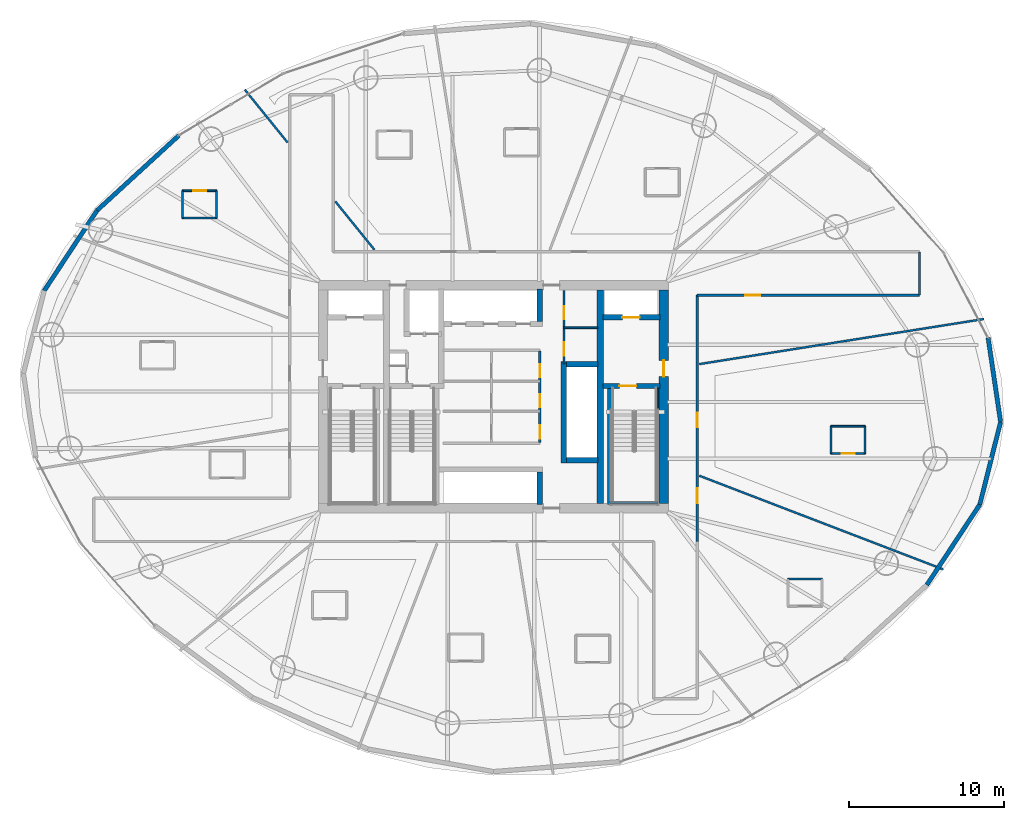
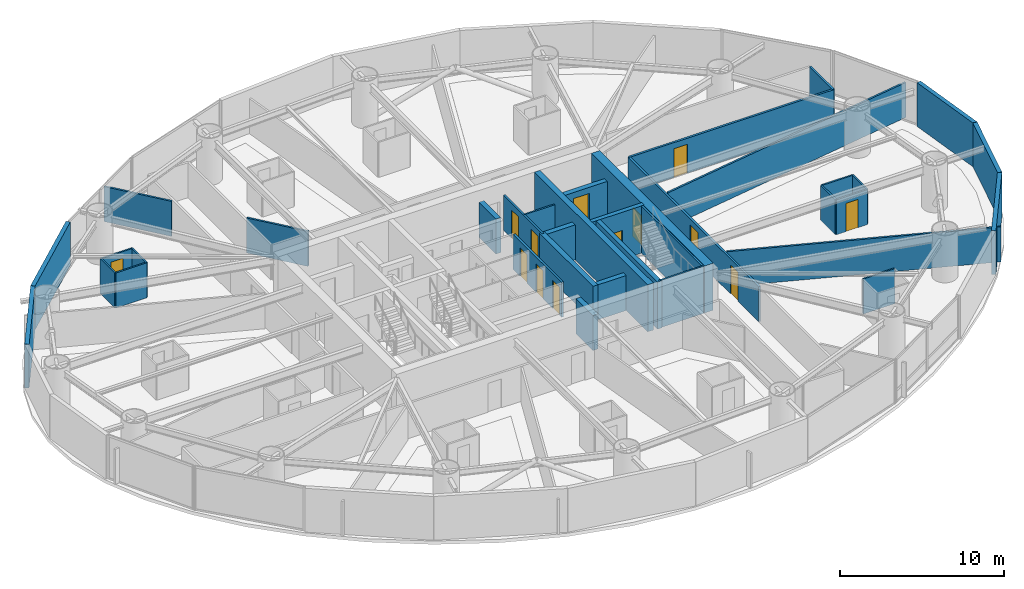
# One storey, part 20 of 25: 36 walls, 13 doors, 13 openings.
"""IFC4 building model written with IfcOpenShell, lengths in metres."""

from ifc_helpers import new_model, si_unit, direction, frame, frame_2d, origin, place, context, subcontext, project, spatial, rectangle, extrude, material, layer, layer_set, type_object, element, fill, save


model = new_model("IFC4")

# Units and contexts
model_context = context("Model", 3, precision=1e-05, world=origin(), true_north=direction((0.0, 1.0)))
body_context = subcontext(model_context, "Body", "Model", "MODEL_VIEW")
ifc_project = project(units=[si_unit("LENGTHUNIT", "METRE"), si_unit("AREAUNIT", "SQUARE_METRE"), si_unit("VOLUMEUNIT", "CUBIC_METRE"), si_unit("PLANEANGLEUNIT", "RADIAN"), si_unit("MASSUNIT", "GRAM", prefix="KILO")], contexts=[model_context])

# Site, building, storey
site_placement = place(None, origin())
site = spatial("IfcSite", under=ifc_project, at=site_placement, CompositionType="ELEMENT")
building_placement = place(site_placement, origin())
building = spatial("IfcBuilding", under=site, at=building_placement, Name="Bramvorn Convention Spire", CompositionType="ELEMENT")
storey_placement = place(building_placement, frame((0.0, 0.0, 48.39990234375)))
storey = spatial("IfcBuildingStorey", under=building, at=storey_placement, Name="L09", CompositionType="ELEMENT", Elevation=48.39990234375)

# Wall, opening, door
ifc_material_1 = material(Name="Concrete C60/70", Category="concrete")
ifc_layer_1 = layer(ifc_material_1, 0.60009765625)
ifc_layer_set_1 = layer_set([ifc_layer_1], Name="Concrete C60/70 - WL-CORE-600")
wall_type_1 = type_object("IfcWallType", Name="WL-CORE-600", PredefinedType="SHEAR", material=ifc_layer_set_1)
wall_1_placement = place(storey_placement, frame((49.0, 19.10009765625, 0.0), z_axis=(0.0, 0.0, 1.0), x_axis=(0.0, 1.0, 0.0)))
wall_1 = element("IfcWall", 1, at=wall_1_placement, inside=storey, type_object=wall_type_1, Name="L09 East RC core shear wall", PredefinedType="SHEAR", context=body_context, shape_type="SweptSolid", body=[
    extrude(rectangle(XDim=13.7998046875, YDim=0.60009765625, at=frame_2d((6.89990234375, 0.0))), origin(), (0.0, 0.0, 1.0), 3.5),
])
opening_1_placement = place(wall_1_placement, frame((8.199951171875, 0.0, 0.0)))
opening_1 = element("IfcOpeningElement", 2, at=opening_1_placement, cuts=wall_1, Name="Opening DL-105", PredefinedType="OPENING", context=body_context, shape_type="SweptSolid", body=[
    extrude(rectangle(XDim=1.050048828125, YDim=2.14990234375, at=frame_2d((0.52490234375, 1.074951171875))), frame((0.0, 0.31005859375, 0.0), z_axis=(0.0, -1.0, 0.0), x_axis=(1.0, 0.0, 0.0)), (0.0, 0.0, 1.0), 0.6201171875),
])
ifc_material_2 = material(Name="Smoke-Sealed Fire Lobby Timber-Core Door", Category="wood")
door_type_1 = type_object("IfcDoorType", Name="DR-LOBBY-1050", OperationType="NOTDEFINED", PredefinedType="DOOR", material=ifc_material_2)
door_1_placement = place(opening_1_placement, origin())
door_1 = element("IfcDoor", 3, at=door_1_placement, inside=storey, type_object=door_type_1, Name="L09 East Firefighting Lobby corridor door", OperationType="SINGLE_SWING_LEFT", OverallHeight=2.14990234375, OverallWidth=1.050048828125, PredefinedType="DOOR", context=body_context, shape_type="SweptSolid", body=[
    extrude(rectangle(XDim=1.050048828125, YDim=2.14990234375, at=frame_2d((0.52490234375, 1.074951171875))), frame((0.0, 0.02490234375, 0.0), z_axis=(0.0, -1.0, 0.0), x_axis=(1.0, 0.0, 0.0)), (0.0, 0.0, 1.0), 0.050048828125),
])
fill(opening_1, door_1)

ifc_material_3 = material(Name="Concrete C50/60", Category="concrete")
ifc_layer_2 = layer(ifc_material_3, 0.35009765625)
ifc_layer_set_2 = layer_set([ifc_layer_2], Name="Concrete C50/60 - WL-CORE-INT-350")
wall_type_2 = type_object("IfcWallType", Name="WL-CORE-INT-350", PredefinedType="SHEAR", material=ifc_layer_set_2)
wall_2_placement = place(storey_placement, frame((45.080078125, 31.1201171875, 0.0), z_axis=(0.0, 0.0, 1.0), x_axis=(1.0, 0.0, 0.0)))
wall_2 = element("IfcWall", 4, at=wall_2_placement, inside=storey, type_object=wall_type_2, Name="L09 FE2 shaft front wall", PredefinedType="SHEAR", context=body_context, shape_type="SweptSolid", body=[
    extrude(rectangle(XDim=3.669921875, YDim=0.35009765625, at=frame_2d((1.8349609375, 0.0))), origin(), (0.0, 0.0, 1.0), 2.60009765625),
])
opening_2_placement = place(wall_2_placement, frame((1.25, 0.0, 0.0)))
opening_2 = element("IfcOpeningElement", 5, at=opening_2_placement, cuts=wall_2, Name="Opening LD-110", PredefinedType="OPENING", context=body_context, shape_type="SweptSolid", body=[
    extrude(rectangle(XDim=1.10009765625, YDim=2.14990234375, at=frame_2d((0.550048828125, 1.074951171875))), frame((0.0, 0.18505859375, 0.0), z_axis=(0.0, -1.0, 0.0), x_axis=(1.0, 0.0, 0.0)), (0.0, 0.0, 1.0), 0.3701171875),
])
ifc_material_4 = material(Name="Firefighting & Service Lift Sliding Landing Door", Category="steel")
door_type_2 = type_object("IfcDoorType", Name="DR-LIFT-LD-1100", OperationType="NOTDEFINED", PredefinedType="DOOR", material=ifc_material_4)
door_2_placement = place(opening_2_placement, origin())
door_2 = element("IfcDoor", 6, at=door_2_placement, inside=storey, type_object=door_type_2, Name="L09 Lift FE2 Sliding Landing Door", OperationType="SLIDING_TO_LEFT", OverallHeight=2.14990234375, OverallWidth=1.10009765625, PredefinedType="DOOR", context=body_context, shape_type="SweptSolid", body=[
    extrude(rectangle(XDim=1.10009765625, YDim=2.14990234375, at=frame_2d((0.550048828125, 1.074951171875))), frame((0.0, 0.02490234375, 0.0), z_axis=(0.0, -1.0, 0.0), x_axis=(1.0, 0.0, 0.0)), (0.0, 0.0, 1.0), 0.050048828125),
])
fill(opening_2, door_2)

# Walls
wall_3_placement = place(storey_placement, frame((42.550048828125, 21.72998046875, 0.0), z_axis=(0.0, 0.0, 1.0), x_axis=(0.0, 1.0, 0.0)))
element("IfcWall", 7, at=wall_3_placement, inside=storey, type_object=wall_type_2, Name="L09 High-rise lift bank west wall", PredefinedType="SHEAR", context=body_context, shape_type="SweptSolid", body=[
    extrude(rectangle(XDim=6.5400390625, YDim=0.35009765625, at=frame_2d((3.27001953125, 0.0))), origin(), (0.0, 0.0, 1.0), 2.60009765625),
])
for number, where, z_axis, x_axis, name in (
    (8, (42.719970703125, 21.89990234375, 0.0), (0.0, 0.0, 1.0), (1.0, 0.0, 0.0), "L09 High-rise lift bank south wall"),
    (9, (42.719970703125, 28.10009765625, 0.0), (0.0, 0.0, 1.0), (1.0, 0.0, 0.0), "L09 High-rise lift bank north wall"),
):
    element("IfcWall", number, at=place(storey_placement, frame(where, z_axis=z_axis, x_axis=x_axis)), inside=storey, type_object=wall_type_2, Name=name, PredefinedType="SHEAR", context=body_context, shape_type="SweptSolid", body=[
        extrude(rectangle(XDim=2.030029296875, YDim=0.35009765625, at=frame_2d((1.01513671875, 0.0))), origin(), (0.0, 0.0, 1.0), 2.60009765625),
    ])
for number, where, z_axis, x_axis, name in (
    (10, (41.0, 30.8701171875, 0.0), (0.0, 0.0, 1.0), (0.0, 1.0, 0.0), "L09 Low-rise bank east cheek wall"),
    (11, (41.0, 19.050048828125, 0.0), (0.0, 0.0, 1.0), (0.0, 1.0, 0.0), "L09 Mid-rise bank east cheek wall"),
):
    element("IfcWall", number, at=place(storey_placement, frame(where, z_axis=z_axis, x_axis=x_axis)), inside=storey, type_object=wall_type_2, Name=name, PredefinedType="SHEAR", context=body_context, shape_type="SweptSolid", body=[
        extrude(rectangle(XDim=2.079833984375, YDim=0.35009765625, at=frame_2d((1.0400390625, 0.0))), origin(), (0.0, 0.0, 1.0), 2.60009765625),
    ])
ifc_layer_3 = layer(ifc_material_1, 0.39990234375)
ifc_layer_set_3 = layer_set([ifc_layer_3], Name="Concrete C60/70 - WL-CORE-INT-400")
wall_type_3 = type_object("IfcWallType", Name="WL-CORE-INT-400", PredefinedType="SHEAR", material=ifc_layer_set_3)
wall_4_placement = place(storey_placement, frame((44.89990234375, 19.10009765625, 0.0), z_axis=(0.0, 0.0, 1.0), x_axis=(0.0, 1.0, 0.0)))
element("IfcWall", 12, at=wall_4_placement, inside=storey, type_object=wall_type_3, Name="L09 East internal core shear web", PredefinedType="SHEAR", context=body_context, shape_type="SweptSolid", body=[
    extrude(rectangle(XDim=13.7998046875, YDim=0.39990234375, at=frame_2d((6.89990234375, 0.0))), origin(), (0.0, 0.0, 1.0), 3.5),
])
ifc_material_5 = material(Name="Precast Concrete C40/50 with Bronze Terracotta Rainscreen", Category="masonry")
ifc_layer_4 = layer(ifc_material_5, 0.300048828125)
ifc_layer_set_4 = layer_set([ifc_layer_4], Name="Precast Concrete C40/50 with Bronze Terracotta Rainscreen - WL-EXT-BRONZE-300")
wall_type_4 = type_object("IfcWallType", Name="WL-EXT-BRONZE-300", PredefinedType="SOLIDWALL", material=ifc_layer_set_4)
wall_5_placement = place(storey_placement, frame((69.932861328125, 29.80810546875, 0.0), z_axis=(0.0, 0.0, 1.0), x_axis=(0.146728919415, -0.989176740632, 0.0)))
element("IfcWall", 13, at=wall_5_placement, inside=storey, type_object=wall_type_4, Name="L09 expressed bronze Gothic lancet pier wall 01", PredefinedType="SOLIDWALL", context=body_context, shape_type="SweptSolid", body=[
    extrude(rectangle(XDim=5.49755859375, YDim=0.280029296875, at=frame_2d((2.748779296875, 0.0))), origin(), (0.0, 0.0, 1.0), 3.25),
])
wall_6_placement = place(storey_placement, frame((12.41748046875, 38.029296875, 0.0), z_axis=(0.0, 0.0, 1.0), x_axis=(0.73711725093, 0.675764869153, 0.0)))
element("IfcWall", 14, at=wall_6_placement, inside=storey, type_object=wall_type_4, Name="L09 expressed bronze Gothic lancet pier wall 10", PredefinedType="SOLIDWALL", context=body_context, shape_type="SweptSolid", body=[
    extrude(rectangle(XDim=7.142822265625, YDim=0.280029296875, at=frame_2d((3.5712890625, 0.0))), origin(), (0.0, 0.0, 1.0), 3.25),
])
wall_7_placement = place(storey_placement, frame((9.00048828125, 32.84130859375, 0.0), z_axis=(0.0, 0.0, 1.0), x_axis=(0.550048067435, 0.835132997499, 0.0)))
element("IfcWall", 15, at=wall_7_placement, inside=storey, type_object=wall_type_4, Name="L09 expressed bronze Gothic lancet pier wall 11", PredefinedType="SOLIDWALL", context=body_context, shape_type="SweptSolid", body=[
    extrude(rectangle(XDim=6.212158203125, YDim=0.280029296875, at=frame_2d((3.10595703125, 0.0))), origin(), (0.0, 0.0, 1.0), 3.25),
])
wall_8_placement = place(storey_placement, frame((69.396728515625, 19.039306640625, 0.0), z_axis=(0.0, 0.0, 1.0), x_axis=(-0.550075476481, -0.835114944289, 0.0)))
element("IfcWall", 16, at=wall_8_placement, inside=storey, type_object=wall_type_4, Name="L09 expressed bronze Gothic lancet pier wall 23", PredefinedType="SOLIDWALL", context=body_context, shape_type="SweptSolid", body=[
    extrude(rectangle(XDim=6.21240234375, YDim=0.280029296875, at=frame_2d((3.106201171875, 0.0))), origin(), (0.0, 0.0, 1.0), 3.25),
])
wall_9_placement = place(storey_placement, frame((70.739501953125, 24.3701171875, 0.0), z_axis=(0.0, 0.0, 1.0), x_axis=(-0.244259426183, -0.969709921946, 0.0)))
element("IfcWall", 17, at=wall_9_placement, inside=storey, type_object=wall_type_4, Name="L09 expressed bronze Gothic lancet pier wall 24", PredefinedType="SOLIDWALL", context=body_context, shape_type="SweptSolid", body=[
    extrude(rectangle(XDim=5.497314453125, YDim=0.280029296875, at=frame_2d((2.74853515625, 0.0))), origin(), (0.0, 0.0, 1.0), 3.25),
])
ifc_material_6 = material(Name="Lightweight En-Suite & Wet-Wall Partition", Category="gypsum")
ifc_layer_5 = layer(ifc_material_6, 0.110107421875)
ifc_layer_set_5 = layer_set([ifc_layer_5], Name="Lightweight En-Suite & Wet-Wall Partition - WL-PART-110")
wall_type_5 = type_object("IfcWallType", Name="WL-PART-110", PredefinedType="PARTITIONING", material=ifc_layer_set_5)
wall_10_placement = place(storey_placement, frame((42.550048828125, 30.449951171875, 0.0), z_axis=(0.0, 0.0, 1.0), x_axis=(1.0, 0.0, 0.0)))
element("IfcWall", 18, at=wall_10_placement, inside=storey, type_object=wall_type_5, Name="L09 KB NE divider", PredefinedType="PARTITIONING", context=body_context, shape_type="SweptSolid", body=[
    extrude(rectangle(XDim=2.199951171875, YDim=0.110107421875, at=frame_2d((1.10009765625, 0.0))), origin(), (0.0, 0.0, 1.0), 2.60009765625),
])
wall_11_placement = place(storey_placement, frame((17.92578125, 37.531982421875, 0.0), z_axis=(0.0, 0.0, 1.0), x_axis=(1.0, 0.0, 0.0)))
element("IfcWall", 19, at=wall_11_placement, inside=storey, type_object=wall_type_5, Name="Hotel Suite 0905 en-suite south wall", PredefinedType="PARTITIONING", context=body_context, shape_type="SweptSolid", body=[
    extrude(rectangle(XDim=2.2001953125, YDim=0.110107421875, at=frame_2d((1.10009765625, 0.0))), origin(), (0.0, 0.0, 1.0), 2.60009765625),
])

# Wall, opening, door
wall_12_placement = place(storey_placement, frame((17.92578125, 39.2919921875, 0.0), z_axis=(0.0, 0.0, 1.0), x_axis=(1.0, 0.0, 0.0)))
wall_12 = element("IfcWall", 20, at=wall_12_placement, inside=storey, type_object=wall_type_5, Name="Hotel Suite 0905 en-suite north wall", PredefinedType="PARTITIONING", context=body_context, shape_type="SweptSolid", body=[
    extrude(rectangle(XDim=2.2001953125, YDim=0.110107421875, at=frame_2d((1.10009765625, 0.0))), origin(), (0.0, 0.0, 1.0), 2.60009765625),
])
opening_3_placement = place(wall_12_placement, frame((0.679931640625, 0.0, 0.0)))
opening_3 = element("IfcOpeningElement", 21, at=opening_3_placement, cuts=wall_12, Name="Opening DI-085", PredefinedType="OPENING", context=body_context, shape_type="SweptSolid", body=[
    extrude(rectangle(XDim=0.85009765625, YDim=2.10009765625, at=frame_2d((0.425048828125, 1.050048828125))), frame((0.0, 0.06494140625, 0.0), z_axis=(0.0, -1.0, 0.0), x_axis=(1.0, 0.0, 0.0)), (0.0, 0.0, 1.0), 0.130126953125),
])
ifc_material_7 = material(Name="En-Suite & Restroom Privacy Door", Category="wood")
door_type_3 = type_object("IfcDoorType", Name="DR-INT-850", OperationType="NOTDEFINED", PredefinedType="DOOR", material=ifc_material_7)
door_3_placement = place(opening_3_placement, origin())
door_3 = element("IfcDoor", 22, at=door_3_placement, inside=storey, type_object=door_type_3, Name="Hotel Suite 0905 En-Suite Bathroom door", OperationType="SINGLE_SWING_LEFT", OverallHeight=2.10009765625, OverallWidth=0.85009765625, PredefinedType="DOOR", context=body_context, shape_type="SweptSolid", body=[
    extrude(rectangle(XDim=0.85009765625, YDim=2.10009765625, at=frame_2d((0.425048828125, 1.050048828125))), frame((0.0, 0.02490234375, 0.0), z_axis=(0.0, -1.0, 0.0), x_axis=(1.0, 0.0, 0.0)), (0.0, 0.0, 1.0), 0.050048828125),
])
fill(opening_3, door_3)

# Walls
for number, where, z_axis, x_axis, name in (
    (23, (17.92578125, 37.531982421875, 0.0), (0.0, 0.0, 1.0), (0.0, 1.0, 0.0), "Hotel Suite 0905 en-suite west wall"),
    (24, (20.1259765625, 37.531982421875, 0.0), (0.0, 0.0, 1.0), (0.0, 1.0, 0.0), "Hotel Suite 0905 en-suite east wall"),
):
    element("IfcWall", number, at=place(storey_placement, frame(where, z_axis=z_axis, x_axis=x_axis)), inside=storey, type_object=wall_type_5, Name=name, PredefinedType="PARTITIONING", context=body_context, shape_type="SweptSolid", body=[
        extrude(rectangle(XDim=1.760009765625, YDim=0.110107421875, at=frame_2d((0.8798828125, 0.0))), origin(), (0.0, 0.0, 1.0), 2.60009765625),
    ])
wall_13_placement = place(storey_placement, frame((57.015380859375, 14.231689453125, 0.0), z_axis=(0.0, 0.0, 1.0), x_axis=(1.0, 0.0, 0.0)))
element("IfcWall", 25, at=wall_13_placement, inside=storey, type_object=wall_type_5, Name="Hotel Suite 0911 en-suite north wall", PredefinedType="PARTITIONING", context=body_context, shape_type="SweptSolid", body=[
    extrude(rectangle(XDim=2.2001953125, YDim=0.110107421875, at=frame_2d((1.10009765625, 0.0))), origin(), (0.0, 0.0, 1.0), 2.60009765625),
])

# Wall, opening, door
wall_14_placement = place(storey_placement, frame((59.790283203125, 22.331298828125, 0.0), z_axis=(0.0, 0.0, 1.0), x_axis=(1.0, 0.0, 0.0)))
wall_14 = element("IfcWall", 26, at=wall_14_placement, inside=storey, type_object=wall_type_5, Name="Hotel Suite 0912 en-suite south wall", PredefinedType="PARTITIONING", context=body_context, shape_type="SweptSolid", body=[
    extrude(rectangle(XDim=2.2001953125, YDim=0.110107421875, at=frame_2d((1.10009765625, 0.0))), origin(), (0.0, 0.0, 1.0), 2.60009765625),
])
opening_4_placement = place(wall_14_placement, frame((0.679931640625, 0.0, 0.0)))
opening_4 = element("IfcOpeningElement", 27, at=opening_4_placement, cuts=wall_14, Name="Opening DI-085", PredefinedType="OPENING", context=body_context, shape_type="SweptSolid", body=[
    extrude(rectangle(XDim=0.85009765625, YDim=2.10009765625, at=frame_2d((0.425048828125, 1.050048828125))), frame((0.0, 0.06494140625, 0.0), z_axis=(0.0, -1.0, 0.0), x_axis=(1.0, 0.0, 0.0)), (0.0, 0.0, 1.0), 0.130126953125),
])
door_4_placement = place(opening_4_placement, origin())
door_4 = element("IfcDoor", 28, at=door_4_placement, inside=storey, type_object=door_type_3, Name="Hotel Suite 0912 En-Suite Bathroom door", OperationType="SINGLE_SWING_LEFT", OverallHeight=2.10009765625, OverallWidth=0.85009765625, PredefinedType="DOOR", context=body_context, shape_type="SweptSolid", body=[
    extrude(rectangle(XDim=0.85009765625, YDim=2.10009765625, at=frame_2d((0.425048828125, 1.050048828125))), frame((0.0, 0.02490234375, 0.0), z_axis=(0.0, -1.0, 0.0), x_axis=(1.0, 0.0, 0.0)), (0.0, 0.0, 1.0), 0.050048828125),
])
fill(opening_4, door_4)

# Walls
wall_15_placement = place(storey_placement, frame((59.790283203125, 24.09130859375, 0.0), z_axis=(0.0, 0.0, 1.0), x_axis=(1.0, 0.0, 0.0)))
element("IfcWall", 29, at=wall_15_placement, inside=storey, type_object=wall_type_5, Name="Hotel Suite 0912 en-suite north wall", PredefinedType="PARTITIONING", context=body_context, shape_type="SweptSolid", body=[
    extrude(rectangle(XDim=2.2001953125, YDim=0.110107421875, at=frame_2d((1.10009765625, 0.0))), origin(), (0.0, 0.0, 1.0), 2.60009765625),
])
for number, where, z_axis, x_axis, name in (
    (30, (59.790283203125, 22.331298828125, 0.0), (0.0, 0.0, 1.0), (0.0, 1.0, 0.0), "Hotel Suite 0912 en-suite west wall"),
    (31, (61.990478515625, 22.331298828125, 0.0), (0.0, 0.0, 1.0), (0.0, 1.0, 0.0), "Hotel Suite 0912 en-suite east wall"),
):
    element("IfcWall", number, at=place(storey_placement, frame(where, z_axis=z_axis, x_axis=x_axis)), inside=storey, type_object=wall_type_5, Name=name, PredefinedType="PARTITIONING", context=body_context, shape_type="SweptSolid", body=[
        extrude(rectangle(XDim=1.760009765625, YDim=0.110107421875, at=frame_2d((0.8798828125, 0.0))), origin(), (0.0, 0.0, 1.0), 2.60009765625),
    ])

# Wall, openings, doors
ifc_material_8 = material(Name="Metal-Stud Demountable Office Partition", Category="gypsum")
ifc_layer_6 = layer(ifc_material_8, 0.1298828125)
ifc_layer_set_6 = layer_set([ifc_layer_6], Name="Metal-Stud Demountable Office Partition - WL-PART-130")
wall_type_6 = type_object("IfcWallType", Name="WL-PART-130", PredefinedType="PARTITIONING", material=ifc_layer_set_6)
wall_16_placement = place(storey_placement, frame((42.550048828125, 28.10009765625, 0.0), z_axis=(0.0, 0.0, 1.0), x_axis=(0.0, 1.0, 0.0)))
wall_16 = element("IfcWall", 32, at=wall_16_placement, inside=storey, type_object=wall_type_6, Name="L09 KB NE split wall", PredefinedType="PARTITIONING", context=body_context, shape_type="SweptSolid", body=[
    extrude(rectangle(XDim=4.75, YDim=0.1298828125, at=frame_2d((2.375, 0.0))), origin(), (0.0, 0.0, 1.0), 2.60009765625),
])
opening_5_placement = place(wall_16_placement, frame((0.550048828125, 0.0, 0.0)))
opening_5 = element("IfcOpeningElement", 33, at=opening_5_placement, cuts=wall_16, Name="Opening DC-085", PredefinedType="OPENING", context=body_context, shape_type="SweptSolid", body=[
    extrude(rectangle(XDim=0.85009765625, YDim=2.10009765625, at=frame_2d((0.425048828125, 1.050048828125))), frame((0.0, 0.074951171875, 0.0), z_axis=(0.0, -1.0, 0.0), x_axis=(1.0, 0.0, 0.0)), (0.0, 0.0, 1.0), 0.14990234375),
])
opening_6_placement = place(wall_16_placement, frame((2.89990234375, 0.0, 0.0)))
opening_6 = element("IfcOpeningElement", 34, at=opening_6_placement, cuts=wall_16, Name="Opening DC-085", PredefinedType="OPENING", context=body_context, shape_type="SweptSolid", body=[
    extrude(rectangle(XDim=0.85009765625, YDim=2.10009765625, at=frame_2d((0.425048828125, 1.050048828125))), frame((0.0, 0.074951171875, 0.0), z_axis=(0.0, -1.0, 0.0), x_axis=(1.0, 0.0, 0.0)), (0.0, 0.0, 1.0), 0.14990234375),
])
ifc_material_9 = material(Name="Fire-Rated Core Washroom & IDF Door", Category="wood")
door_type_4 = type_object("IfcDoorType", Name="DR-CORE-850", OperationType="NOTDEFINED", PredefinedType="DOOR", material=ifc_material_9)
door_5_placement = place(opening_5_placement, origin())
door_5 = element("IfcDoor", 35, at=door_5_placement, inside=storey, type_object=door_type_4, Name="L09 Core Staff WC door", OperationType="SINGLE_SWING_LEFT", OverallHeight=2.10009765625, OverallWidth=0.85009765625, PredefinedType="DOOR", context=body_context, shape_type="SweptSolid", body=[
    extrude(rectangle(XDim=0.85009765625, YDim=2.10009765625, at=frame_2d((0.425048828125, 1.050048828125))), frame((0.0, 0.02490234375, 0.0), z_axis=(0.0, -1.0, 0.0), x_axis=(1.0, 0.0, 0.0)), (0.0, 0.0, 1.0), 0.050048828125),
])
fill(opening_5, door_5)
door_6_placement = place(opening_6_placement, origin())
door_6 = element("IfcDoor", 36, at=door_6_placement, inside=storey, type_object=door_type_4, Name="L09 Core Data Closet door", OperationType="SINGLE_SWING_LEFT", OverallHeight=2.10009765625, OverallWidth=0.85009765625, PredefinedType="DOOR", context=body_context, shape_type="SweptSolid", body=[
    extrude(rectangle(XDim=0.85009765625, YDim=2.10009765625, at=frame_2d((0.425048828125, 1.050048828125))), frame((0.0, 0.02490234375, 0.0), z_axis=(0.0, -1.0, 0.0), x_axis=(1.0, 0.0, 0.0)), (0.0, 0.0, 1.0), 0.050048828125),
])
fill(opening_6, door_6)

# Walls
wall_17_placement = place(storey_placement, frame((51.2900390625, 28.10498046875, 0.0), z_axis=(0.0, 0.0, 1.0), x_axis=(0.987689587694, 0.156426590965, 0.0)))
element("IfcWall", 37, at=wall_17_placement, inside=storey, type_object=wall_type_6, Name="L09 Guestroom demising wall 1", PredefinedType="PARTITIONING", context=body_context, shape_type="SweptSolid", body=[
    extrude(rectangle(XDim=18.614990234375, YDim=0.1298828125, at=frame_2d((9.3076171875, 0.0))), origin(), (0.0, 0.0, 1.0), 2.60009765625),
])
wall_18_placement = place(storey_placement, frame((30.315185546875, 35.489990234375, 0.0), z_axis=(0.0, 0.0, 1.0), x_axis=(-0.629306741086, 0.777157014782, 0.0)))
element("IfcWall", 38, at=wall_18_placement, inside=storey, type_object=wall_type_6, Name="L09 Guestroom demising wall 5", PredefinedType="PARTITIONING", context=body_context, shape_type="SweptSolid", body=[
    extrude(rectangle(XDim=4.0126953125, YDim=0.1298828125, at=frame_2d((2.00634765625, 0.0))), origin(), (0.0, 0.0, 1.0), 2.60009765625),
])
wall_19_placement = place(storey_placement, frame((24.7099609375, 42.411865234375, 0.0), z_axis=(0.0, 0.0, 1.0), x_axis=(-0.629345031815, 0.777126007112, 0.0)))
element("IfcWall", 39, at=wall_19_placement, inside=storey, type_object=wall_type_6, Name="L09 Guestroom demising wall 5", PredefinedType="PARTITIONING", context=body_context, shape_type="SweptSolid", body=[
    extrude(rectangle(XDim=4.401123046875, YDim=0.1298828125, at=frame_2d((2.20068359375, 0.0))), origin(), (0.0, 0.0, 1.0), 2.60009765625),
])
wall_20_placement = place(storey_placement, frame((51.2900390625, 20.8984375, 0.0), z_axis=(0.0, 0.0, 1.0), x_axis=(0.933579150915, -0.358371272533, 0.0)))
element("IfcWall", 40, at=wall_20_placement, inside=storey, type_object=wall_type_6, Name="L09 Guestroom demising wall 12", PredefinedType="PARTITIONING", context=body_context, shape_type="SweptSolid", body=[
    extrude(rectangle(XDim=16.878662109375, YDim=0.1298828125, at=frame_2d((8.439453125, 0.0))), origin(), (0.0, 0.0, 1.0), 2.60009765625),
])

# Wall, openings, doors
ifc_material_10 = material(Name="Acoustic Metal-Stud Tenant/Corridor Partition", Category="gypsum")
ifc_layer_7 = layer(ifc_material_10, 0.14990234375)
ifc_layer_set_7 = layer_set([ifc_layer_7], Name="Acoustic Metal-Stud Tenant/Corridor Partition - WL-PART-150")
wall_type_7 = type_object("IfcWallType", Name="WL-PART-150", PredefinedType="PARTITIONING", material=ifc_layer_set_7)
wall_21_placement = place(storey_placement, frame((41.0, 23.050048828125, 0.0), z_axis=(0.0, 0.0, 1.0), x_axis=(0.0, 1.0, 0.0)))
wall_21 = element("IfcWall", 41, at=wall_21_placement, inside=storey, type_object=wall_type_7, Name="L09 KB east core wall", PredefinedType="PARTITIONING", context=body_context, shape_type="SweptSolid", body=[
    extrude(rectangle(XDim=5.89990234375, YDim=0.14990234375, at=frame_2d((2.949951171875, 0.0))), origin(), (0.0, 0.0, 1.0), 2.60009765625),
])
opening_7_placement = place(wall_21_placement, frame((0.25, 0.0, 0.0)))
opening_7 = element("IfcOpeningElement", 42, at=opening_7_placement, cuts=wall_21, Name="Opening DC-085", PredefinedType="OPENING", context=body_context, shape_type="SweptSolid", body=[
    extrude(rectangle(XDim=0.85009765625, YDim=2.10009765625, at=frame_2d((0.425048828125, 1.050048828125))), frame((0.0, 0.0849609375, 0.0), z_axis=(0.0, -1.0, 0.0), x_axis=(1.0, 0.0, 0.0)), (0.0, 0.0, 1.0), 0.169921875),
])
opening_8_placement = place(wall_21_placement, frame((2.256103515625, 0.0, 0.0)))
opening_8 = element("IfcOpeningElement", 43, at=opening_8_placement, cuts=wall_21, Name="Opening DC-085", PredefinedType="OPENING", context=body_context, shape_type="SweptSolid", body=[
    extrude(rectangle(XDim=0.85009765625, YDim=2.10009765625, at=frame_2d((0.425048828125, 1.050048828125))), frame((0.0, 0.0849609375, 0.0), z_axis=(0.0, -1.0, 0.0), x_axis=(1.0, 0.0, 0.0)), (0.0, 0.0, 1.0), 0.169921875),
])
opening_9_placement = place(wall_21_placement, frame((4.202880859375, 0.0, 0.0)))
opening_9 = element("IfcOpeningElement", 44, at=opening_9_placement, cuts=wall_21, Name="Opening DC-085", PredefinedType="OPENING", context=body_context, shape_type="SweptSolid", body=[
    extrude(rectangle(XDim=0.85009765625, YDim=2.10009765625, at=frame_2d((0.425048828125, 1.050048828125))), frame((0.0, 0.0849609375, 0.0), z_axis=(0.0, -1.0, 0.0), x_axis=(1.0, 0.0, 0.0)), (0.0, 0.0, 1.0), 0.169921875),
])
door_7_placement = place(opening_7_placement, origin())
door_7 = element("IfcDoor", 45, at=door_7_placement, inside=storey, type_object=door_type_4, Name="L09 Accessible Core Restroom door", OperationType="SINGLE_SWING_LEFT", OverallHeight=2.10009765625, OverallWidth=0.85009765625, PredefinedType="DOOR", context=body_context, shape_type="SweptSolid", body=[
    extrude(rectangle(XDim=0.85009765625, YDim=2.10009765625, at=frame_2d((0.425048828125, 1.050048828125))), frame((0.0, 0.02490234375, 0.0), z_axis=(0.0, -1.0, 0.0), x_axis=(1.0, 0.0, 0.0)), (0.0, 0.0, 1.0), 0.050048828125),
])
fill(opening_7, door_7)
door_8_placement = place(opening_8_placement, origin())
door_8 = element("IfcDoor", 46, at=door_8_placement, inside=storey, type_object=door_type_4, Name="L09 Floor Housekeeping & Linen Store door", OperationType="SINGLE_SWING_LEFT", OverallHeight=2.10009765625, OverallWidth=0.85009765625, PredefinedType="DOOR", context=body_context, shape_type="SweptSolid", body=[
    extrude(rectangle(XDim=0.85009765625, YDim=2.10009765625, at=frame_2d((0.425048828125, 1.050048828125))), frame((0.0, 0.02490234375, 0.0), z_axis=(0.0, -1.0, 0.0), x_axis=(1.0, 0.0, 0.0)), (0.0, 0.0, 1.0), 0.050048828125),
])
fill(opening_8, door_8)
door_9_placement = place(opening_9_placement, origin())
door_9 = element("IfcDoor", 47, at=door_9_placement, inside=storey, type_object=door_type_4, Name="L09 Gender-Neutral Core WC door", OperationType="SINGLE_SWING_LEFT", OverallHeight=2.10009765625, OverallWidth=0.85009765625, PredefinedType="DOOR", context=body_context, shape_type="SweptSolid", body=[
    extrude(rectangle(XDim=0.85009765625, YDim=2.10009765625, at=frame_2d((0.425048828125, 1.050048828125))), frame((0.0, 0.02490234375, 0.0), z_axis=(0.0, -1.0, 0.0), x_axis=(1.0, 0.0, 0.0)), (0.0, 0.0, 1.0), 0.050048828125),
])
fill(opening_9, door_9)

wall_22_placement = place(storey_placement, frame((51.14990234375, 16.64990234375, 0.0), z_axis=(0.0, 0.0, 1.0), x_axis=(0.0, 1.0, 0.0)))
wall_22 = element("IfcWall", 48, at=wall_22_placement, inside=storey, type_object=wall_type_7, Name="L09 East ring corridor wall", PredefinedType="PARTITIONING", context=body_context, shape_type="SweptSolid", body=[
    extrude(rectangle(XDim=15.900146484375, YDim=0.14990234375, at=frame_2d((7.9501953125, 0.0))), origin(), (0.0, 0.0, 1.0), 2.60009765625),
])
opening_10_placement = place(wall_22_placement, frame((2.484130859375, 0.0, 0.0)))
opening_10 = element("IfcOpeningElement", 49, at=opening_10_placement, cuts=wall_22, Name="Opening DH-095", PredefinedType="OPENING", context=body_context, shape_type="SweptSolid", body=[
    extrude(rectangle(XDim=0.949951171875, YDim=2.14990234375, at=frame_2d((0.47509765625, 1.074951171875))), frame((0.0, 0.0849609375, 0.0), z_axis=(0.0, -1.0, 0.0), x_axis=(1.0, 0.0, 0.0)), (0.0, 0.0, 1.0), 0.169921875),
])
opening_11_placement = place(wall_22_placement, frame((7.37890625, 0.0, 0.0)))
opening_11 = element("IfcOpeningElement", 50, at=opening_11_placement, cuts=wall_22, Name="Opening DH-095", PredefinedType="OPENING", context=body_context, shape_type="SweptSolid", body=[
    extrude(rectangle(XDim=0.949951171875, YDim=2.14990234375, at=frame_2d((0.47509765625, 1.074951171875))), frame((0.0, 0.0849609375, 0.0), z_axis=(0.0, -1.0, 0.0), x_axis=(1.0, 0.0, 0.0)), (0.0, 0.0, 1.0), 0.169921875),
])
ifc_material_11 = material(Name="Solid-Core Acoustic Guestroom Entry Door", Category="wood")
door_type_5 = type_object("IfcDoorType", Name="DR-HOTEL-950", OperationType="NOTDEFINED", PredefinedType="DOOR", material=ifc_material_11)
door_10_placement = place(opening_10_placement, origin())
door_10 = element("IfcDoor", 51, at=door_10_placement, inside=storey, type_object=door_type_5, Name="Hotel Suite 0911 entry door", OperationType="SINGLE_SWING_RIGHT", OverallHeight=2.14990234375, OverallWidth=0.949951171875, PredefinedType="DOOR", context=body_context, shape_type="SweptSolid", body=[
    extrude(rectangle(XDim=0.949951171875, YDim=2.14990234375, at=frame_2d((0.47509765625, 1.074951171875))), frame((0.0, 0.02490234375, 0.0), z_axis=(0.0, -1.0, 0.0), x_axis=(1.0, 0.0, 0.0)), (0.0, 0.0, 1.0), 0.050048828125),
])
fill(opening_10, door_10)
door_11_placement = place(opening_11_placement, origin())
door_11 = element("IfcDoor", 52, at=door_11_placement, inside=storey, type_object=door_type_5, Name="Hotel Suite 0912 entry door", OperationType="SINGLE_SWING_LEFT", OverallHeight=2.14990234375, OverallWidth=0.949951171875, PredefinedType="DOOR", context=body_context, shape_type="SweptSolid", body=[
    extrude(rectangle(XDim=0.949951171875, YDim=2.14990234375, at=frame_2d((0.47509765625, 1.074951171875))), frame((0.0, 0.02490234375, 0.0), z_axis=(0.0, -1.0, 0.0), x_axis=(1.0, 0.0, 0.0)), (0.0, 0.0, 1.0), 0.050048828125),
])
fill(opening_11, door_11)

# Wall, opening, door
wall_23_placement = place(storey_placement, frame((51.14990234375, 32.550048828125, 0.0), z_axis=(0.0, 0.0, 1.0), x_axis=(1.0, 0.0, 0.0)))
wall_23 = element("IfcWall", 53, at=wall_23_placement, inside=storey, type_object=wall_type_7, Name="L09 NE pinwheel wing south wall", PredefinedType="PARTITIONING", context=body_context, shape_type="SweptSolid", body=[
    extrude(rectangle(XDim=14.35009765625, YDim=0.14990234375, at=frame_2d((7.175048828125, 0.0))), origin(), (0.0, 0.0, 1.0), 2.60009765625),
])
opening_12_placement = place(wall_23_placement, frame((3.112548828125, 0.0, 0.0)))
opening_12 = element("IfcOpeningElement", 54, at=opening_12_placement, cuts=wall_23, Name="Opening DH-095", PredefinedType="OPENING", context=body_context, shape_type="SweptSolid", body=[
    extrude(rectangle(XDim=0.949951171875, YDim=2.14990234375, at=frame_2d((0.47509765625, 1.074951171875))), frame((0.0, 0.0849609375, 0.0), z_axis=(0.0, -1.0, 0.0), x_axis=(1.0, 0.0, 0.0)), (0.0, 0.0, 1.0), 0.169921875),
])
door_12_placement = place(opening_12_placement, origin())
door_12 = element("IfcDoor", 55, at=door_12_placement, inside=storey, type_object=door_type_5, Name="L09 Hospitality Lounge 1 door", OperationType="SINGLE_SWING_RIGHT", OverallHeight=2.14990234375, OverallWidth=0.949951171875, PredefinedType="DOOR", context=body_context, shape_type="SweptSolid", body=[
    extrude(rectangle(XDim=0.949951171875, YDim=2.14990234375, at=frame_2d((0.47509765625, 1.074951171875))), frame((0.0, 0.02490234375, 0.0), z_axis=(0.0, -1.0, 0.0), x_axis=(1.0, 0.0, 0.0)), (0.0, 0.0, 1.0), 0.050048828125),
])
fill(opening_12, door_12)

# Wall
wall_24_placement = place(storey_placement, frame((65.5, 32.550048828125, 0.0), z_axis=(0.0, 0.0, 1.0), x_axis=(0.0, 1.0, 0.0)))
element("IfcWall", 56, at=wall_24_placement, inside=storey, type_object=wall_type_7, Name="L09 NE pinwheel end wall", PredefinedType="PARTITIONING", context=body_context, shape_type="SweptSolid", body=[
    extrude(rectangle(XDim=2.800048828125, YDim=0.14990234375, at=frame_2d((1.39990234375, 0.0))), origin(), (0.0, 0.0, 1.0), 2.60009765625),
])

# Wall, opening, door
ifc_layer_8 = layer(ifc_material_3, 0.300048828125)
ifc_layer_set_8 = layer_set([ifc_layer_8], Name="Concrete C50/60 - WL-POD-STAIR-300")
wall_type_8 = type_object("IfcWallType", Name="WL-POD-STAIR-300", PredefinedType="SHEAR", material=ifc_layer_set_8)
wall_25_placement = place(storey_placement, frame((45.080078125, 26.68994140625, 0.0), z_axis=(0.0, 0.0, 1.0), x_axis=(1.0, 0.0, 0.0)))
wall_25 = element("IfcWall", 57, at=wall_25_placement, inside=storey, type_object=wall_type_8, Name="L09 ST2 north fire wall", PredefinedType="SHEAR", context=body_context, shape_type="SweptSolid", body=[
    extrude(rectangle(XDim=3.669921875, YDim=0.300048828125, at=frame_2d((1.8349609375, 0.0))), origin(), (0.0, 0.0, 1.0), 3.5),
])
opening_13_placement = place(wall_25_placement, frame((1.050048828125, 0.0, 0.0)))
opening_13 = element("IfcOpeningElement", 58, at=opening_13_placement, cuts=wall_25, Name="Opening DS-110", PredefinedType="OPENING", context=body_context, shape_type="SweptSolid", body=[
    extrude(rectangle(XDim=1.10009765625, YDim=2.14990234375, at=frame_2d((0.550048828125, 1.074951171875))), frame((0.0, 0.159912109375, 0.0), z_axis=(0.0, -1.0, 0.0), x_axis=(1.0, 0.0, 0.0)), (0.0, 0.0, 1.0), 0.320068359375),
])
ifc_material_12 = material(Name="Fire-Rated Hollow Steel Stairwell Door", Category="steel")
door_type_6 = type_object("IfcDoorType", Name="DR-STAIR-1100", OperationType="NOTDEFINED", PredefinedType="DOOR", material=ifc_material_12)
door_13_placement = place(opening_13_placement, origin())
door_13 = element("IfcDoor", 59, at=door_13_placement, inside=storey, type_object=door_type_6, Name="L09 Stair ST2 fire door", OperationType="SINGLE_SWING_RIGHT", OverallHeight=2.14990234375, OverallWidth=1.10009765625, PredefinedType="DOOR", context=body_context, shape_type="SweptSolid", body=[
    extrude(rectangle(XDim=1.10009765625, YDim=2.14990234375, at=frame_2d((0.550048828125, 1.074951171875))), frame((0.0, 0.02490234375, 0.0), z_axis=(0.0, -1.0, 0.0), x_axis=(1.0, 0.0, 0.0)), (0.0, 0.0, 1.0), 0.050048828125),
])
fill(opening_13, door_13)

# Walls
wall_26_placement = place(storey_placement, frame((45.510009765625, 19.050048828125, 0.0), z_axis=(0.0, 0.0, 1.0), x_axis=(0.0, 1.0, 0.0)))
element("IfcWall", 60, at=wall_26_placement, inside=storey, type_object=wall_type_8, Name="L09 ST2 west bearing wall", PredefinedType="SHEAR", context=body_context, shape_type="SweptSolid", body=[
    extrude(rectangle(XDim=7.5, YDim=0.300048828125, at=frame_2d((3.75, 0.0))), origin(), (0.0, 0.0, 1.0), 3.5),
])
ifc_layer_9 = layer(ifc_material_3, 0.1201171875)
ifc_layer_set_9 = layer_set([ifc_layer_9], Name="Concrete C50/60 - WL-STAIR-RC-120")
wall_type_9 = type_object("IfcWallType", Name="WL-STAIR-RC-120", PredefinedType="SHEAR", material=ifc_layer_set_9)
wall_27_placement = place(storey_placement, frame((48.60498046875, 19.10009765625, 0.0), z_axis=(0.0, 0.0, 1.0), x_axis=(0.0, 1.0, 0.0)))
element("IfcWall", 61, at=wall_27_placement, inside=storey, type_object=wall_type_9, Name="L09 ST2 east bearing shear wall", PredefinedType="SHEAR", context=body_context, shape_type="SweptSolid", body=[
    extrude(rectangle(XDim=7.449951171875, YDim=0.1201171875, at=frame_2d((3.72509765625, 0.0))), origin(), (0.0, 0.0, 1.0), 3.5),
])
wall_28_placement = place(storey_placement, frame((45.510009765625, 19.159912109375, 0.0), z_axis=(0.0, 0.0, 1.0), x_axis=(1.0, 0.0, 0.0)))
element("IfcWall", 62, at=wall_28_placement, inside=storey, type_object=wall_type_9, Name="L09 ST2 south bearing shear wall", PredefinedType="SHEAR", context=body_context, shape_type="SweptSolid", body=[
    extrude(rectangle(XDim=3.094970703125, YDim=0.1201171875, at=frame_2d((1.54736328125, 0.0))), origin(), (0.0, 0.0, 1.0), 3.5),
])

save(model, "model.ifc")
